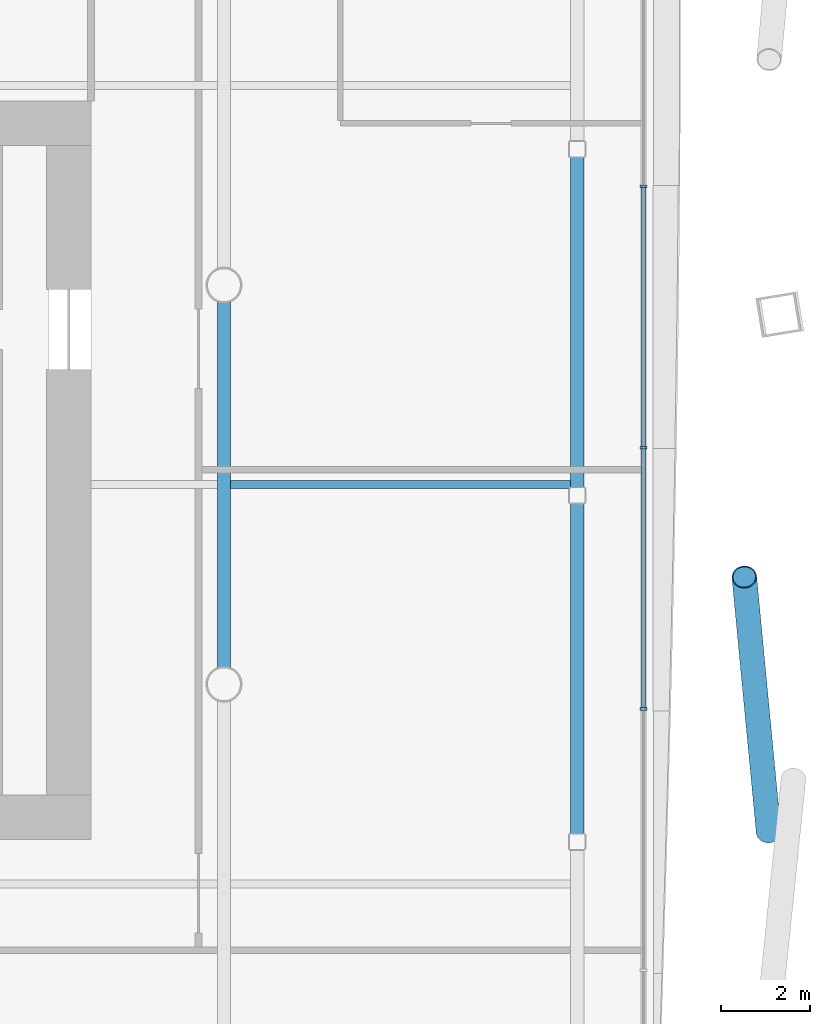
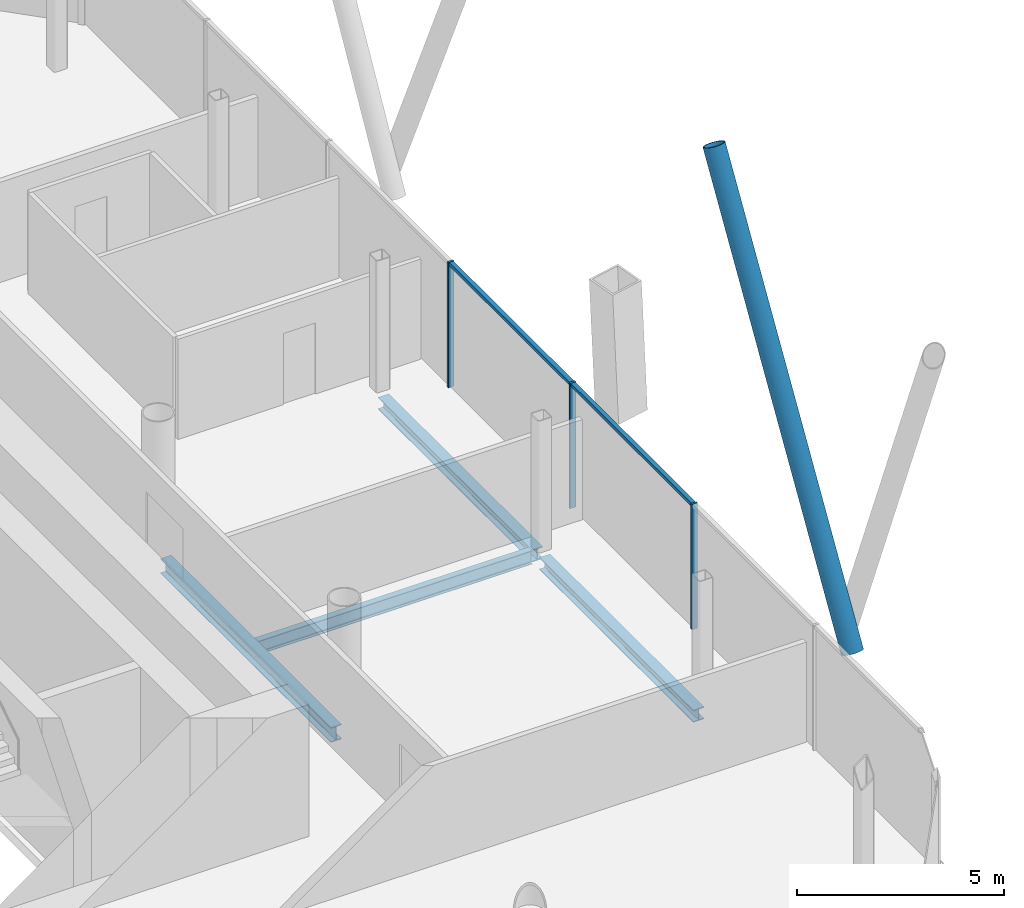
# One storey, part 7 of 22: 6 members, 4 beams, 1 element without a shape of its own.
"""IFC4 building model written with IfcOpenShell, lengths in metres."""

from ifc_helpers import new_model, si_unit, direction, frame, origin, origin_2d, place, context, subcontext, project, spatial, rectangle, hollow_circle, i_section, extrude, material, material_profile, profile_set, type_object, element, aggregate, save


model = new_model("IFC4")

# Units and contexts
model_context = context("Model", 3, precision=1e-05, world=origin(), true_north=direction((0.0, 1.0)))
body_context = subcontext(model_context, "Body", "Model", "MODEL_VIEW")
ifc_project = project(units=[si_unit("LENGTHUNIT", "METRE"), si_unit("AREAUNIT", "SQUARE_METRE"), si_unit("VOLUMEUNIT", "CUBIC_METRE"), si_unit("PLANEANGLEUNIT", "RADIAN"), si_unit("MASSUNIT", "GRAM", prefix="KILO")], contexts=[model_context])

# Site, building, storey
site_placement = place(None, origin())
site = spatial("IfcSite", under=ifc_project, at=site_placement, CompositionType="ELEMENT")
building_placement = place(site_placement, origin())
building = spatial("IfcBuilding", under=site, at=building_placement, Name="Tskaro Facet Tower", CompositionType="ELEMENT")
storey_placement = place(building_placement, frame((0.0, 0.0, 85.5)))
storey = spatial("IfcBuildingStorey", under=building, at=storey_placement, Name="L20", CompositionType="ELEMENT", Elevation=85.5)

# Member
ifc_material_1 = material(Name="Steel S355J2H", Category="steel")
ifc_material_profile_1 = material_profile(ifc_material_1, hollow_circle(Radius=0.279541015625, WallThickness=0.02490234375, at=origin_2d()), Name="CHS 559x25")
ifc_profile_set_1 = profile_set([ifc_material_profile_1], Name="Steel S355J2H")
member_type_1 = type_object("IfcMemberType", Name="CHS 559x25 brace", PredefinedType="BRACE", material=ifc_profile_set_1)
member_1_placement = place(storey_placement, frame((30.283447265625, -12.326416015625, 0.0), z_axis=(-0.04199486521, 0.44034722745, 0.896844886574), x_axis=(-0.995483295194, -0.094936868441, 0.0)))
element("IfcMember", 1, at=member_1_placement, inside=storey, type_object=member_type_1, Name="CHS 559x25 XB04A/2", PredefinedType="BRACE", context=body_context, shape_type="SweptSolid", body=[
    extrude(hollow_circle(Radius=0.279541015625, WallThickness=0.02490234375, at=origin_2d()), origin(), (0.0, 0.0, 1.0), 13.045654296875),
])

# Curtain wall, members
ifc_material_2 = material(Name="Bronze anodised aluminium 6063-T6", Category="aluminium")
curtain_wall_type = type_object("IfcCurtainWallType", Name="Bronze office curtain wall (FW1)", PredefinedType="NOTDEFINED", material=ifc_material_2)
curtain_wall_placement = place(storey_placement, origin())
curtain_wall = element("IfcCurtainWall", 2, at=curtain_wall_placement, inside=storey, type_object=curtain_wall_type, Name="FW1 east facet L20", PredefinedType="NOTDEFINED")
ifc_material_profile_2 = material_profile(ifc_material_2, rectangle(XDim=0.06005859375, YDim=0.159912109375, at=origin_2d()), Name="Mullion 60x160")
ifc_profile_set_2 = profile_set([ifc_material_profile_2], Name="Bronze anodised aluminium 6063-T6")
member_type_2 = type_object("IfcMemberType", Name="FW1 bronze mullion 60x160", PredefinedType="MULLION", material=ifc_profile_set_2)
member_2_placement = place(storey_placement, frame((27.462890625, -9.55908203125, 0.0), z_axis=(0.0, 0.0, 1.0), x_axis=(0.0, 1.0, 0.0)))
member_2 = element("IfcMember", 3, at=member_2_placement, type_object=member_type_2, Name="FW1 east mullion 2", PredefinedType="MULLION", context=body_context, shape_type="SweptSolid", body=[
    extrude(rectangle(XDim=0.06005859375, YDim=0.159912109375, at=origin_2d()), origin(), (0.0, 0.0, 1.0), 3.699951171875),
])
member_3_placement = place(storey_placement, frame((27.462890625, -3.664794921875, 0.0), z_axis=(0.0, 0.0, 1.0), x_axis=(0.0, 1.0, 0.0)))
member_3 = element("IfcMember", 4, at=member_3_placement, type_object=member_type_2, Name="FW1 east mullion 3", PredefinedType="MULLION", context=body_context, shape_type="SweptSolid", body=[
    extrude(rectangle(XDim=0.06005859375, YDim=0.159912109375, at=origin_2d()), origin(), (0.0, 0.0, 1.0), 3.699951171875),
])
member_4_placement = place(storey_placement, frame((27.462890625, 2.229736328125, 0.0), z_axis=(0.0, 0.0, 1.0), x_axis=(0.0, 1.0, 0.0)))
member_4 = element("IfcMember", 5, at=member_4_placement, type_object=member_type_2, Name="FW1 east mullion 4", PredefinedType="MULLION", context=body_context, shape_type="SweptSolid", body=[
    extrude(rectangle(XDim=0.06005859375, YDim=0.159912109375, at=origin_2d()), origin(), (0.0, 0.0, 1.0), 3.699951171875),
])
ifc_material_profile_3 = material_profile(ifc_material_2, rectangle(XDim=0.1201171875, YDim=0.10009765625, at=origin_2d()), Name="Transom 120x100")
ifc_profile_set_3 = profile_set([ifc_material_profile_3], Name="Bronze anodised aluminium 6063-T6")
member_type_3 = type_object("IfcMemberType", Name="FW1 bronze transom 120x100", PredefinedType="USERDEFINED", material=ifc_profile_set_3)
member_5_placement = place(storey_placement, frame((27.462890625, -9.529052734375, 3.64990234375), z_axis=(0.0, 1.0, 0.0), x_axis=(-1.0, 0.0, 0.0)))
member_5 = element("IfcMember", 6, at=member_5_placement, type_object=member_type_3, Name="FW1 east transom 3.1", ObjectType="TRANSOM", PredefinedType="USERDEFINED", context=body_context, shape_type="SweptSolid", body=[
    extrude(rectangle(XDim=0.1201171875, YDim=0.10009765625, at=origin_2d()), origin(), (0.0, 0.0, 1.0), 5.834228515625),
])
member_6_placement = place(storey_placement, frame((27.462890625, -3.634765625, 3.64990234375), z_axis=(0.0, 1.0, 0.0), x_axis=(-1.0, 0.0, 0.0)))
member_6 = element("IfcMember", 7, at=member_6_placement, type_object=member_type_3, Name="FW1 east transom 4.1", ObjectType="TRANSOM", PredefinedType="USERDEFINED", context=body_context, shape_type="SweptSolid", body=[
    extrude(rectangle(XDim=0.1201171875, YDim=0.10009765625, at=origin_2d()), origin(), (0.0, 0.0, 1.0), 5.83447265625),
])
aggregate(curtain_wall, [member_2, member_3, member_4, member_5, member_6])

# Beams
ifc_material_3 = material(Name="Steel S355J2", Category="steel")
ifc_material_profile_4 = material_profile(ifc_material_3, i_section(OverallWidth=0.300048828125, OverallDepth=0.360107421875, WebThickness=0.012451171875, FlangeThickness=0.0224609375, FilletRadius=0.027099609375, at=origin_2d()), Name="HE 360 B")
ifc_profile_set_4 = profile_set([ifc_material_profile_4], Name="Steel S355J2")
beam_type_1 = type_object("IfcBeamType", Name="HE 360 B ring beam", PredefinedType="BEAM", material=ifc_profile_set_4)
beam_1_placement = place(storey_placement, frame((25.965087890625, -12.373046875, -0.320068359375), z_axis=(0.0, 1.0, 0.0), x_axis=(-1.0, 0.0, 0.0)))
element("IfcBeam", 8, at=beam_1_placement, inside=storey, type_object=beam_type_1, Name="HE 360 B EB8-2", PredefinedType="BEAM", context=body_context, shape_type="SweptSolid", body=[
    extrude(i_section(OverallWidth=0.300048828125, OverallDepth=0.360107421875, WebThickness=0.012451171875, FlangeThickness=0.0224609375, FilletRadius=0.027099609375, at=origin_2d()), origin(), (0.0, 0.0, 1.0), 7.450927734375),
])
beam_2_placement = place(storey_placement, frame((25.965087890625, -4.56201171875, -0.320068359375), z_axis=(0.0, 1.0, 0.0), x_axis=(-1.0, 0.0, 0.0)))
element("IfcBeam", 9, at=beam_2_placement, inside=storey, type_object=beam_type_1, Name="HE 360 B EB9-2", PredefinedType="BEAM", context=body_context, shape_type="SweptSolid", body=[
    extrude(i_section(OverallWidth=0.300048828125, OverallDepth=0.360107421875, WebThickness=0.012451171875, FlangeThickness=0.0224609375, FilletRadius=0.027099609375, at=origin_2d()), origin(), (0.0, 0.0, 1.0), 7.449951171875),
])
ifc_material_profile_5 = material_profile(ifc_material_3, i_section(OverallWidth=0.300048828125, OverallDepth=0.43994140625, WebThickness=0.011474609375, FlangeThickness=0.02099609375, FilletRadius=0.027099609375, at=origin_2d()), Name="HE 450 A")
ifc_profile_set_5 = profile_set([ifc_material_profile_5], Name="Steel S355J2")
beam_type_2 = type_object("IfcBeamType", Name="HE 450 A girder", PredefinedType="BEAM", material=ifc_profile_set_5)
beam_3_placement = place(storey_placement, frame((18.0, -8.62353515625, -0.360107421875), z_axis=(0.0, 1.0, 0.0), x_axis=(-1.0, 0.0, 0.0)))
element("IfcBeam", 10, at=beam_3_placement, inside=storey, type_object=beam_type_2, Name="HE 450 A GB6-3-2", PredefinedType="BEAM", context=body_context, shape_type="SweptSolid", body=[
    extrude(i_section(OverallWidth=0.300048828125, OverallDepth=0.43994140625, WebThickness=0.011474609375, FlangeThickness=0.02099609375, FilletRadius=0.027099609375, at=origin_2d()), origin(), (0.0, 0.0, 1.0), 8.2470703125),
])
ifc_material_profile_6 = material_profile(ifc_material_3, i_section(OverallWidth=0.179931640625, OverallDepth=0.39990234375, WebThickness=0.008544921875, FlangeThickness=0.013427734375, FilletRadius=0.02099609375, at=origin_2d()), Name="IPE 400")
ifc_profile_set_6 = profile_set([ifc_material_profile_6], Name="Steel S355J2")
beam_type_3 = type_object("IfcBeamType", Name="IPE 400 secondary beam", PredefinedType="BEAM", material=ifc_profile_set_6)
beam_4_placement = place(storey_placement, frame((18.14990234375, -4.5, -0.340087890625), z_axis=(1.0, 0.0, 0.0), x_axis=(0.0, 1.0, 0.0)))
element("IfcBeam", 11, at=beam_4_placement, inside=storey, type_object=beam_type_3, Name="IPE 400 SB3a-3-2", PredefinedType="BEAM", context=body_context, shape_type="SweptSolid", body=[
    extrude(i_section(OverallWidth=0.179931640625, OverallDepth=0.39990234375, WebThickness=0.008544921875, FlangeThickness=0.013427734375, FilletRadius=0.02099609375, at=origin_2d()), origin(), (0.0, 0.0, 1.0), 7.6650390625),
])

save(model, "model.ifc")
